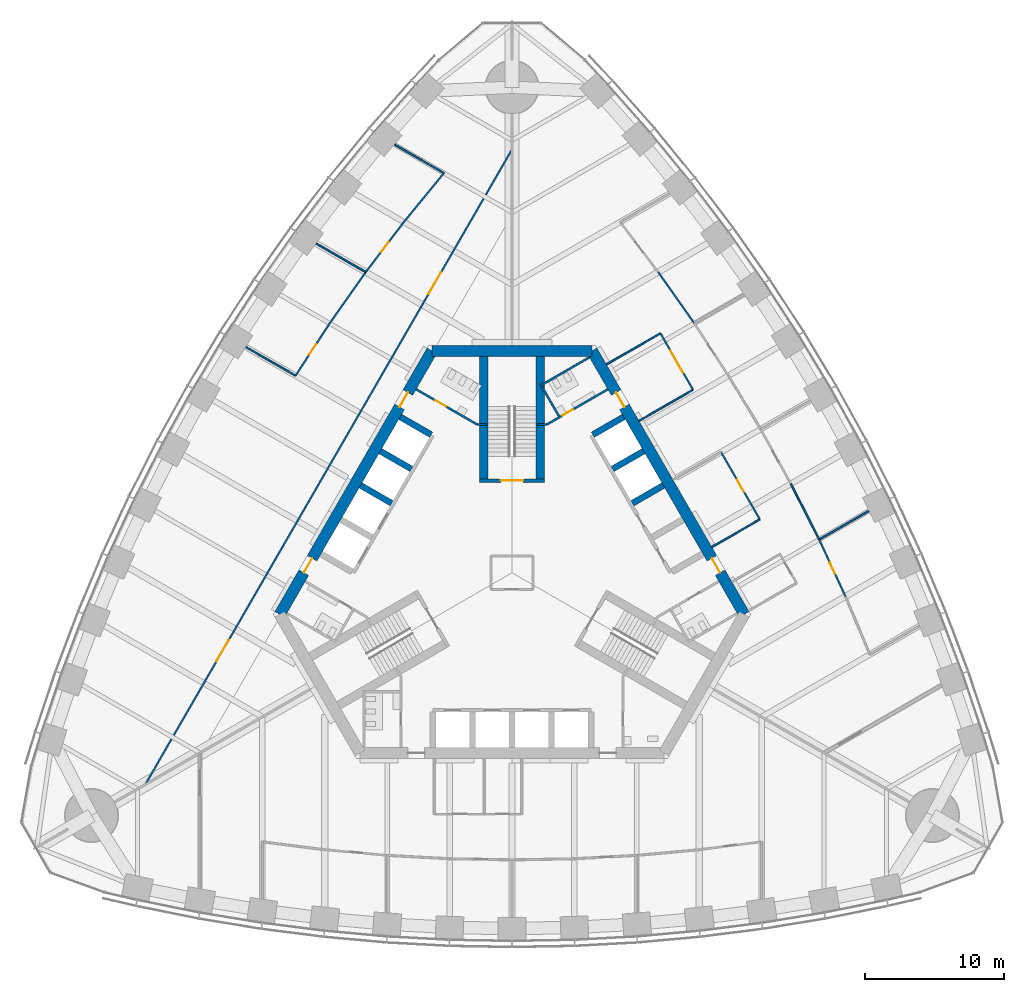
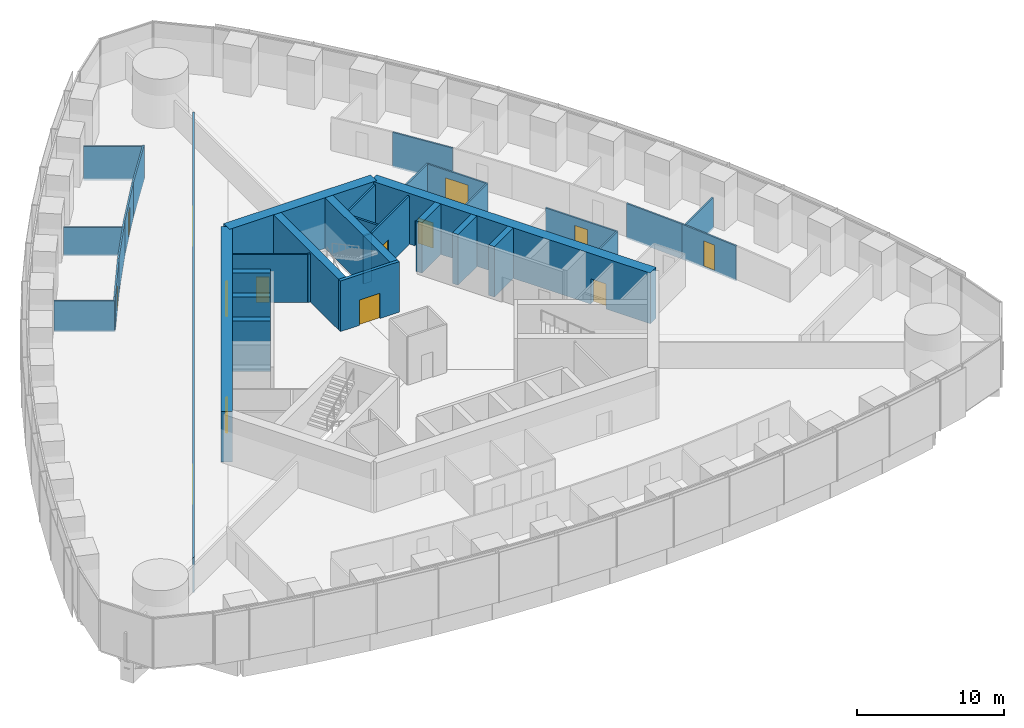
# One storey, part 12 of 18: 35 walls, 14 doors, 14 openings.
"""IFC4 building model written with IfcOpenShell, lengths in metres."""

from ifc_helpers import new_model, si_unit, direction, frame, frame_2d, origin, place, context, subcontext, project, spatial, rectangle, extrude, material, layer, layer_set, type_object, element, fill, save


model = new_model("IFC4")

# Units and contexts
model_context = context("Model", 3, precision=1e-05, world=origin(), true_north=direction((0.0, 1.0)))
body_context = subcontext(model_context, "Body", "Model", "MODEL_VIEW")
ifc_project = project(units=[si_unit("LENGTHUNIT", "METRE"), si_unit("AREAUNIT", "SQUARE_METRE"), si_unit("VOLUMEUNIT", "CUBIC_METRE"), si_unit("PLANEANGLEUNIT", "RADIAN"), si_unit("MASSUNIT", "GRAM", prefix="KILO")], contexts=[model_context])

# Site, building, storey
site_placement = place(None, origin())
site = spatial("IfcSite", under=ifc_project, at=site_placement, CompositionType="ELEMENT")
building_placement = place(site_placement, origin())
building = spatial("IfcBuilding", under=site, at=building_placement, Name="Trefoil Bronze Tower", CompositionType="ELEMENT")
storey_placement = place(building_placement, frame((0.0, 0.0, 170.300048828125)))
storey = spatial("IfcBuildingStorey", under=building, at=storey_placement, Name="L39", CompositionType="ELEMENT", Elevation=170.300048828125)

# Wall, openings, doors
ifc_material_1 = material(Name="Concrete B80", Category="concrete")
ifc_layer_1 = layer(ifc_material_1, 0.800048828125)
ifc_layer_set_1 = layer_set([ifc_layer_1], Name="Core wall 800")
wall_type_1 = type_object("IfcWallType", Name="Core wall 800", PredefinedType="SHEAR", material=ifc_layer_set_1)
wall_1_placement = place(storey_placement, frame((16.7431640625, -3.0, 0.0), z_axis=(0.0, 0.0, 1.0), x_axis=(-0.500002442456, 0.866023993627, 0.0)))
wall_1 = element("IfcWall", 1, at=wall_1_placement, inside=storey, type_object=wall_type_1, Name="Core long wall 2 L39", PredefinedType="SHEAR", context=body_context, shape_type="SweptSolid", body=[
    extrude(rectangle(XDim=21.939453125, YDim=0.800048828125, at=frame_2d((10.9697265625, 0.0))), origin(), (0.0, 0.0, 1.0), 4.199951171875),
])
opening_1_placement = place(wall_1_placement, frame((17.269775390625, 0.0, 0.0)))
opening_1 = element("IfcOpeningElement", 2, at=opening_1_placement, cuts=wall_1, Name="Opening D2", PredefinedType="OPENING", context=body_context, shape_type="SweptSolid", body=[
    extrude(rectangle(XDim=1.199951171875, YDim=2.10009765625, at=frame_2d((0.60009765625, 1.050048828125))), frame((0.0, 0.409912109375, 0.0), z_axis=(0.0, -1.0, 0.0), x_axis=(1.0, 0.0, 0.0)), (0.0, 0.0, 1.0), 0.820068359375),
])
opening_2_placement = place(wall_1_placement, frame((3.4697265625, 0.0, 0.0)))
opening_2 = element("IfcOpeningElement", 3, at=opening_2_placement, cuts=wall_1, Name="Opening D2", PredefinedType="OPENING", context=body_context, shape_type="SweptSolid", body=[
    extrude(rectangle(XDim=1.199951171875, YDim=2.10009765625, at=frame_2d((0.60009765625, 1.050048828125))), frame((0.0, 0.409912109375, 0.0), z_axis=(0.0, -1.0, 0.0), x_axis=(1.0, 0.0, 0.0)), (0.0, 0.0, 1.0), 0.820068359375),
])
ifc_material_2 = material(Name="Steel door", Category="steel")
door_type_1 = type_object("IfcDoorType", Name="Lobby door 1200", OperationType="SINGLE_SWING_RIGHT", PredefinedType="DOOR", material=ifc_material_2)
door_1_placement = place(opening_1_placement, origin())
door_1 = element("IfcDoor", 4, at=door_1_placement, inside=storey, type_object=door_type_1, Name="Lobby door F2+ L39", OperationType="SINGLE_SWING_RIGHT", OverallHeight=2.10009765625, OverallWidth=1.199951171875, PredefinedType="DOOR", context=body_context, shape_type="SweptSolid", body=[
    extrude(rectangle(XDim=1.199951171875, YDim=2.10009765625, at=frame_2d((0.60009765625, 1.050048828125))), frame((0.0, 0.02490234375, 0.0), z_axis=(0.0, -1.0, 0.0), x_axis=(1.0, 0.0, 0.0)), (0.0, 0.0, 1.0), 0.050048828125),
])
fill(opening_1, door_1)
door_2_placement = place(opening_2_placement, origin())
door_2 = element("IfcDoor", 5, at=door_2_placement, inside=storey, type_object=door_type_1, Name="Lobby door F2- L39", OperationType="SINGLE_SWING_LEFT", OverallHeight=2.10009765625, OverallWidth=1.199951171875, PredefinedType="DOOR", context=body_context, shape_type="SweptSolid", body=[
    extrude(rectangle(XDim=1.199951171875, YDim=2.10009765625, at=frame_2d((0.60009765625, 1.050048828125))), frame((0.0, 0.02490234375, 0.0), z_axis=(0.0, -1.0, 0.0), x_axis=(1.0, 0.0, 0.0)), (0.0, 0.0, 1.0), 0.050048828125),
])
fill(opening_2, door_2)

# Wall
wall_2_placement = place(storey_placement, frame((5.7734375, 16.0, 0.0), z_axis=(0.0, 0.0, 1.0), x_axis=(-1.0, 0.0, 0.0)))
element("IfcWall", 6, at=wall_2_placement, inside=storey, type_object=wall_type_1, Name="Core short wall 2 L39", PredefinedType="SHEAR", context=body_context, shape_type="SweptSolid", body=[
    extrude(rectangle(XDim=11.546875, YDim=0.800048828125, at=frame_2d((5.7734375, 0.0))), origin(), (0.0, 0.0, 1.0), 4.199951171875),
])

# Wall, openings, doors
wall_3_placement = place(storey_placement, frame((-5.7734375, 16.0, 0.0), z_axis=(0.0, 0.0, 1.0), x_axis=(-0.500002442456, -0.866023993627, 0.0)))
wall_3 = element("IfcWall", 7, at=wall_3_placement, inside=storey, type_object=wall_type_1, Name="Core long wall 3 L39", PredefinedType="SHEAR", context=body_context, shape_type="SweptSolid", body=[
    extrude(rectangle(XDim=21.939453125, YDim=0.800048828125, at=frame_2d((10.9697265625, 0.0))), origin(), (0.0, 0.0, 1.0), 4.199951171875),
])
opening_3_placement = place(wall_3_placement, frame((17.269775390625, 0.0, 0.0)))
opening_3 = element("IfcOpeningElement", 8, at=opening_3_placement, cuts=wall_3, Name="Opening D2", PredefinedType="OPENING", context=body_context, shape_type="SweptSolid", body=[
    extrude(rectangle(XDim=1.199951171875, YDim=2.10009765625, at=frame_2d((0.60009765625, 1.050048828125))), frame((0.0, 0.409912109375, 0.0), z_axis=(0.0, -1.0, 0.0), x_axis=(1.0, 0.0, 0.0)), (0.0, 0.0, 1.0), 0.820068359375),
])
opening_4_placement = place(wall_3_placement, frame((3.4697265625, 0.0, 0.0)))
opening_4 = element("IfcOpeningElement", 9, at=opening_4_placement, cuts=wall_3, Name="Opening D2", PredefinedType="OPENING", context=body_context, shape_type="SweptSolid", body=[
    extrude(rectangle(XDim=1.199951171875, YDim=2.10009765625, at=frame_2d((0.60009765625, 1.050048828125))), frame((0.0, 0.409912109375, 0.0), z_axis=(0.0, -1.0, 0.0), x_axis=(1.0, 0.0, 0.0)), (0.0, 0.0, 1.0), 0.820068359375),
])
door_3_placement = place(opening_3_placement, origin())
door_3 = element("IfcDoor", 10, at=door_3_placement, inside=storey, type_object=door_type_1, Name="Lobby door F3+ L39", OperationType="SINGLE_SWING_RIGHT", OverallHeight=2.10009765625, OverallWidth=1.199951171875, PredefinedType="DOOR", context=body_context, shape_type="SweptSolid", body=[
    extrude(rectangle(XDim=1.199951171875, YDim=2.10009765625, at=frame_2d((0.60009765625, 1.050048828125))), frame((0.0, 0.02490234375, 0.0), z_axis=(0.0, -1.0, 0.0), x_axis=(1.0, 0.0, 0.0)), (0.0, 0.0, 1.0), 0.050048828125),
])
fill(opening_3, door_3)
door_4_placement = place(opening_4_placement, origin())
door_4 = element("IfcDoor", 11, at=door_4_placement, inside=storey, type_object=door_type_1, Name="Lobby door F3- L39", OperationType="SINGLE_SWING_LEFT", OverallHeight=2.10009765625, OverallWidth=1.199951171875, PredefinedType="DOOR", context=body_context, shape_type="SweptSolid", body=[
    extrude(rectangle(XDim=1.199951171875, YDim=2.10009765625, at=frame_2d((0.60009765625, 1.050048828125))), frame((0.0, 0.02490234375, 0.0), z_axis=(0.0, -1.0, 0.0), x_axis=(1.0, 0.0, 0.0)), (0.0, 0.0, 1.0), 0.050048828125),
])
fill(opening_4, door_4)

# Wall, opening, door
ifc_material_3 = material(Name="Glazed partition", Category="glass")
ifc_layer_2 = layer(ifc_material_3, 0.1201171875)
ifc_layer_set_2 = layer_set([ifc_layer_2], Name="Glazed partition 120")
wall_type_2 = type_object("IfcWallType", Name="Glazed partition 120", PredefinedType="PARTITIONING", material=ifc_layer_set_2)
wall_4_placement = place(storey_placement, frame((13.0517578125, 13.193603515625, 0.0), z_axis=(0.0, 0.0, 1.0), x_axis=(-0.499977259774, 0.866038532462, 0.0)))
wall_4 = element("IfcWall", 12, at=wall_4_placement, inside=storey, type_object=wall_type_2, Name="Partition F2 L39", PredefinedType="PARTITIONING", context=body_context, shape_type="SweptSolid", body=[
    extrude(rectangle(XDim=4.699951171875, YDim=0.1201171875, at=frame_2d((2.35009765625, 0.0))), origin(), (0.0, 0.0, 1.0), 2.89990234375),
])
opening_5_placement = place(wall_4_placement, frame((1.449951171875, 0.0, 0.14990234375)))
opening_5 = element("IfcOpeningElement", 13, at=opening_5_placement, cuts=wall_4, Name="Opening D10", PredefinedType="OPENING", context=body_context, shape_type="SweptSolid", body=[
    extrude(rectangle(XDim=1.800048828125, YDim=2.10009765625, at=frame_2d((0.89990234375, 1.050048828125))), frame((0.0, 0.070068359375, 0.0), z_axis=(0.0, -1.0, 0.0), x_axis=(1.0, 0.0, 0.0)), (0.0, 0.0, 1.0), 0.14013671875),
])
ifc_material_4 = material(Name="Timber door", Category="wood")
door_type_2 = type_object("IfcDoorType", Name="Double door 1800", OperationType="DOUBLE_DOOR_SINGLE_SWING", PredefinedType="DOOR", material=ifc_material_4)
door_5_placement = place(opening_5_placement, frame((1.800048828125, 0.0, 0.0), z_axis=(0.0, 0.0, 1.0), x_axis=(-1.0, 0.0, 0.0)))
door_5 = element("IfcDoor", 14, at=door_5_placement, inside=storey, type_object=door_type_2, Name="Reception door F2 L39", OperationType="DOUBLE_DOOR_SINGLE_SWING", OverallHeight=2.10009765625, OverallWidth=1.800048828125, PredefinedType="DOOR", context=body_context, shape_type="SweptSolid", body=[
    extrude(rectangle(XDim=1.800048828125, YDim=2.10009765625, at=frame_2d((0.89990234375, 1.050048828125))), frame((0.0, 0.02490234375, 0.0), z_axis=(0.0, -1.0, 0.0), x_axis=(1.0, 0.0, 0.0)), (0.0, 0.0, 1.0), 0.050048828125),
])
fill(opening_5, door_5)

wall_5_placement = place(storey_placement, frame((17.868896484375, 3.850341796875, 0.0), z_axis=(0.0, 0.0, 1.0), x_axis=(-0.500016814911, 0.866015695474, 0.0)))
wall_5 = element("IfcWall", 15, at=wall_5_placement, inside=storey, type_object=wall_type_2, Name="Partition F2 L39", PredefinedType="PARTITIONING", context=body_context, shape_type="SweptSolid", body=[
    extrude(rectangle(XDim=5.599853515625, YDim=0.1201171875, at=frame_2d((2.7998046875, 0.0))), origin(), (0.0, 0.0, 1.0), 2.89990234375),
])
opening_6_placement = place(wall_5_placement, frame((2.300048828125, 0.0, 0.14990234375)))
opening_6 = element("IfcOpeningElement", 16, at=opening_6_placement, cuts=wall_5, Name="Opening D9", PredefinedType="OPENING", context=body_context, shape_type="SweptSolid", body=[
    extrude(rectangle(XDim=1.0, YDim=2.10009765625, at=frame_2d((0.5, 1.050048828125))), frame((0.0, 0.070068359375, 0.0), z_axis=(0.0, -1.0, 0.0), x_axis=(1.0, 0.0, 0.0)), (0.0, 0.0, 1.0), 0.14013671875),
])
ifc_material_5 = material(Name="Glazed timber door", Category="wood")
door_type_3 = type_object("IfcDoorType", Name="Meeting room door 1000", OperationType="SINGLE_SWING_LEFT", PredefinedType="DOOR", material=ifc_material_5)
door_6_placement = place(opening_6_placement, origin())
door_6 = element("IfcDoor", 17, at=door_6_placement, inside=storey, type_object=door_type_3, Name="Meeting room door F2 L39", OperationType="SINGLE_SWING_RIGHT", OverallHeight=2.10009765625, OverallWidth=1.0, PredefinedType="DOOR", context=body_context, shape_type="SweptSolid", body=[
    extrude(rectangle(XDim=1.0, YDim=2.10009765625, at=frame_2d((0.5, 1.050048828125))), frame((0.0, 0.02490234375, 0.0), z_axis=(0.0, -1.0, 0.0), x_axis=(1.0, 0.0, 0.0)), (0.0, 0.0, 1.0), 0.050048828125),
])
fill(opening_6, door_6)

# Walls
wall_6_placement = place(storey_placement, frame((9.15478515625, 10.943603515625, 0.0), z_axis=(0.0, 0.0, 1.0), x_axis=(0.866017533419, 0.500013631625, 0.0)))
element("IfcWall", 18, at=wall_6_placement, inside=storey, type_object=wall_type_2, Name="Partition F2 L39", PredefinedType="PARTITIONING", context=body_context, shape_type="SweptSolid", body=[
    extrude(rectangle(XDim=4.499755859375, YDim=0.1201171875, at=frame_2d((2.25, 0.0))), origin(), (0.0, 0.0, 1.0), 2.89990234375),
])
wall_7_placement = place(storey_placement, frame((6.8046875, 15.013916015625, 0.0), z_axis=(0.0, 0.0, 1.0), x_axis=(0.866031096941, 0.499990139034, 0.0)))
element("IfcWall", 19, at=wall_7_placement, inside=storey, type_object=wall_type_2, Name="Partition F2 L39", PredefinedType="PARTITIONING", context=body_context, shape_type="SweptSolid", body=[
    extrude(rectangle(XDim=4.5, YDim=0.1201171875, at=frame_2d((2.25, 0.0))), origin(), (0.0, 0.0, 1.0), 2.89990234375),
])
wall_8_placement = place(storey_placement, frame((14.40478515625, 1.850341796875, 0.0), z_axis=(0.0, 0.0, 1.0), x_axis=(0.866026010844, 0.49999894854, 0.0)))
element("IfcWall", 20, at=wall_8_placement, inside=storey, type_object=wall_type_2, Name="Partition F2 L39", PredefinedType="PARTITIONING", context=body_context, shape_type="SweptSolid", body=[
    extrude(rectangle(XDim=4.0, YDim=0.1201171875, at=frame_2d((2.0, 0.0))), origin(), (0.0, 0.0, 1.0), 2.89990234375),
])
wall_9_placement = place(storey_placement, frame((13.145263671875, 17.981689453125, 0.0), z_axis=(0.0, 0.0, 1.0), x_axis=(-0.575987178736, 0.817458726745, 0.0)))
element("IfcWall", 21, at=wall_9_placement, inside=storey, type_object=wall_type_2, Name="Partition F2 L39", PredefinedType="PARTITIONING", context=body_context, shape_type="SweptSolid", body=[
    extrude(rectangle(XDim=4.518310546875, YDim=0.1201171875, at=frame_2d((2.25927734375, 0.0))), origin(), (0.0, 0.0, 1.0), 2.89990234375),
])

# Wall, opening, door
wall_10_placement = place(storey_placement, frame((24.042724609375, -1.70751953125, 0.0), z_axis=(0.0, 0.0, 1.0), x_axis=(-0.41992827805, 0.90755729367, 0.0)))
wall_10 = element("IfcWall", 22, at=wall_10_placement, inside=storey, type_object=wall_type_2, Name="Partition F2 L39", PredefinedType="PARTITIONING", context=body_context, shape_type="SweptSolid", body=[
    extrude(rectangle(XDim=4.5185546875, YDim=0.1201171875, at=frame_2d((2.25927734375, 0.0))), origin(), (0.0, 0.0, 1.0), 2.89990234375),
])
opening_7_placement = place(wall_10_placement, frame((1.800048828125, 0.0, 0.14990234375)))
opening_7 = element("IfcOpeningElement", 23, at=opening_7_placement, cuts=wall_10, Name="Opening D8", PredefinedType="OPENING", context=body_context, shape_type="SweptSolid", body=[
    extrude(rectangle(XDim=0.89990234375, YDim=2.10009765625, at=frame_2d((0.449951171875, 1.050048828125))), frame((0.0, 0.070068359375, 0.0), z_axis=(0.0, -1.0, 0.0), x_axis=(1.0, 0.0, 0.0)), (0.0, 0.0, 1.0), 0.14013671875),
])
ifc_material_6 = material(Name="Timber door", Category="wood")
door_type_4 = type_object("IfcDoorType", Name="Office door 900", OperationType="SINGLE_SWING_LEFT", PredefinedType="DOOR", material=ifc_material_6)
door_7_placement = place(opening_7_placement, frame((0.89990234375, 0.0, 0.0), z_axis=(0.0, 0.0, 1.0), x_axis=(-1.0, 0.0, 0.0)))
door_7 = element("IfcDoor", 24, at=door_7_placement, inside=storey, type_object=door_type_4, Name="Executive office door F2 L39", OperationType="SINGLE_SWING_RIGHT", OverallHeight=2.10009765625, OverallWidth=0.89990234375, PredefinedType="DOOR", context=body_context, shape_type="SweptSolid", body=[
    extrude(rectangle(XDim=0.89990234375, YDim=2.10009765625, at=frame_2d((0.449951171875, 1.050048828125))), frame((0.0, 0.02490234375, 0.0), z_axis=(0.0, -1.0, 0.0), x_axis=(1.0, 0.0, 0.0)), (0.0, 0.0, 1.0), 0.050048828125),
])
fill(opening_7, door_7)

# Walls
wall_11_placement = place(storey_placement, frame((22.145263671875, 2.393310546875, 0.0), z_axis=(0.0, 0.0, 1.0), x_axis=(-0.452471679136, 0.891778772779, 0.0)))
element("IfcWall", 25, at=wall_11_placement, inside=storey, type_object=wall_type_2, Name="Partition F2 L39", PredefinedType="PARTITIONING", context=body_context, shape_type="SweptSolid", body=[
    extrude(rectangle(XDim=4.506591796875, YDim=0.1201171875, at=frame_2d((2.25341796875, 0.0))), origin(), (0.0, 0.0, 1.0), 2.89990234375),
])
wall_12_placement = place(storey_placement, frame((22.145263671875, 2.393310546875, 0.0), z_axis=(0.0, 0.0, 1.0), x_axis=(0.866018637367, 0.500011719595, 0.0)))
element("IfcWall", 26, at=wall_12_placement, inside=storey, type_object=wall_type_2, Name="Partition F2 L39", PredefinedType="PARTITIONING", context=body_context, shape_type="SweptSolid", body=[
    extrude(rectangle(XDim=4.11572265625, YDim=0.1201171875, at=frame_2d((2.057861328125, 0.0))), origin(), (0.0, 0.0, 1.0), 2.599853515625),
])

# Wall, openings, doors
wall_13_placement = place(storey_placement, frame((-0.016357421875, 30.491455078125, 0.0), z_axis=(0.0, 0.0, 1.0), x_axis=(-0.50000091641, -0.866024874695, 0.0)))
wall_13 = element("IfcWall", 27, at=wall_13_placement, inside=storey, type_object=wall_type_2, Name="Partition F3 L39", PredefinedType="PARTITIONING", context=body_context, shape_type="SweptSolid", body=[
    extrude(rectangle(XDim=52.79638671875, YDim=0.1201171875, at=frame_2d((26.398193359375, 0.0))), origin(), (0.0, 0.0, 1.0), 2.89990234375),
])
opening_8_placement = place(wall_13_placement, frame((10.199951171875, 0.0, 0.14990234375)))
opening_8 = element("IfcOpeningElement", 28, at=opening_8_placement, cuts=wall_13, Name="Opening D10", PredefinedType="OPENING", context=body_context, shape_type="SweptSolid", body=[
    extrude(rectangle(XDim=1.800048828125, YDim=2.10009765625, at=frame_2d((0.89990234375, 1.050048828125))), frame((0.0, 0.070068359375, 0.0), z_axis=(0.0, -1.0, 0.0), x_axis=(1.0, 0.0, 0.0)), (0.0, 0.0, 1.0), 0.14013671875),
])
opening_9_placement = place(wall_13_placement, frame((40.800048828125, 0.0, 0.14990234375)))
opening_9 = element("IfcOpeningElement", 29, at=opening_9_placement, cuts=wall_13, Name="Opening D10", PredefinedType="OPENING", context=body_context, shape_type="SweptSolid", body=[
    extrude(rectangle(XDim=1.800048828125, YDim=2.10009765625, at=frame_2d((0.89990234375, 1.050048828125))), frame((0.0, 0.070068359375, 0.0), z_axis=(0.0, -1.0, 0.0), x_axis=(1.0, 0.0, 0.0)), (0.0, 0.0, 1.0), 0.14013671875),
])
door_8_placement = place(opening_8_placement, frame((1.800048828125, 0.0, 0.0), z_axis=(0.0, 0.0, 1.0), x_axis=(-1.0, 0.0, 0.0)))
door_8 = element("IfcDoor", 30, at=door_8_placement, inside=storey, type_object=door_type_2, Name="Corridor door F3 L39", OperationType="DOUBLE_DOOR_SINGLE_SWING", OverallHeight=2.10009765625, OverallWidth=1.800048828125, PredefinedType="DOOR", context=body_context, shape_type="SweptSolid", body=[
    extrude(rectangle(XDim=1.800048828125, YDim=2.10009765625, at=frame_2d((0.89990234375, 1.050048828125))), frame((0.0, 0.02490234375, 0.0), z_axis=(0.0, -1.0, 0.0), x_axis=(1.0, 0.0, 0.0)), (0.0, 0.0, 1.0), 0.050048828125),
])
fill(opening_8, door_8)
door_9_placement = place(opening_9_placement, frame((1.800048828125, 0.0, 0.0), z_axis=(0.0, 0.0, 1.0), x_axis=(-1.0, 0.0, 0.0)))
door_9 = element("IfcDoor", 31, at=door_9_placement, inside=storey, type_object=door_type_2, Name="Corridor door F3 L39", OperationType="DOUBLE_DOOR_SINGLE_SWING", OverallHeight=2.10009765625, OverallWidth=1.800048828125, PredefinedType="DOOR", context=body_context, shape_type="SweptSolid", body=[
    extrude(rectangle(XDim=1.800048828125, YDim=2.10009765625, at=frame_2d((0.89990234375, 1.050048828125))), frame((0.0, 0.02490234375, 0.0), z_axis=(0.0, -1.0, 0.0), x_axis=(1.0, 0.0, 0.0)), (0.0, 0.0, 1.0), 0.050048828125),
])
fill(opening_9, door_9)

# Wall
wall_14_placement = place(storey_placement, frame((-10.542724609375, 21.67529296875, 0.0), z_axis=(0.0, 0.0, 1.0), x_axis=(-0.575987178736, -0.817458726745, 0.0)))
element("IfcWall", 32, at=wall_14_placement, inside=storey, type_object=wall_type_2, Name="Partition F3 L39", PredefinedType="PARTITIONING", context=body_context, shape_type="SweptSolid", body=[
    extrude(rectangle(XDim=4.518310546875, YDim=0.1201171875, at=frame_2d((2.25927734375, 0.0))), origin(), (0.0, 0.0, 1.0), 2.89990234375),
])

# Wall, opening, door
wall_15_placement = place(storey_placement, frame((-7.797119140625, 25.2861328125, 0.0), z_axis=(0.0, 0.0, 1.0), x_axis=(-0.605274299339, -0.796016973789, 0.0)))
wall_15 = element("IfcWall", 33, at=wall_15_placement, inside=storey, type_object=wall_type_2, Name="Partition F3 L39", PredefinedType="PARTITIONING", context=body_context, shape_type="SweptSolid", body=[
    extrude(rectangle(XDim=4.5361328125, YDim=0.1201171875, at=frame_2d((2.26806640625, 0.0))), origin(), (0.0, 0.0, 1.0), 2.89990234375),
])
opening_10_placement = place(wall_15_placement, frame((1.800048828125, 0.0, 0.14990234375)))
opening_10 = element("IfcOpeningElement", 34, at=opening_10_placement, cuts=wall_15, Name="Opening D8", PredefinedType="OPENING", context=body_context, shape_type="SweptSolid", body=[
    extrude(rectangle(XDim=0.89990234375, YDim=2.10009765625, at=frame_2d((0.449951171875, 1.050048828125))), frame((0.0, 0.070068359375, 0.0), z_axis=(0.0, -1.0, 0.0), x_axis=(1.0, 0.0, 0.0)), (0.0, 0.0, 1.0), 0.14013671875),
])
door_10_placement = place(opening_10_placement, frame((0.89990234375, 0.0, 0.0), z_axis=(0.0, 0.0, 1.0), x_axis=(-1.0, 0.0, 0.0)))
door_10 = element("IfcDoor", 35, at=door_10_placement, inside=storey, type_object=door_type_4, Name="Executive office door F3 L39", OperationType="SINGLE_SWING_RIGHT", OverallHeight=2.10009765625, OverallWidth=0.89990234375, PredefinedType="DOOR", context=body_context, shape_type="SweptSolid", body=[
    extrude(rectangle(XDim=0.89990234375, YDim=2.10009765625, at=frame_2d((0.449951171875, 1.050048828125))), frame((0.0, 0.02490234375, 0.0), z_axis=(0.0, -1.0, 0.0), x_axis=(1.0, 0.0, 0.0)), (0.0, 0.0, 1.0), 0.050048828125),
])
fill(opening_10, door_10)

# Wall
wall_16_placement = place(storey_placement, frame((-4.906494140625, 28.8134765625, 0.0), z_axis=(0.0, 0.0, 1.0), x_axis=(-0.633843962561, -0.773460943503, 0.0)))
element("IfcWall", 36, at=wall_16_placement, inside=storey, type_object=wall_type_2, Name="Partition F3 L39", PredefinedType="PARTITIONING", context=body_context, shape_type="SweptSolid", body=[
    extrude(rectangle(XDim=4.560546875, YDim=0.1201171875, at=frame_2d((2.2802734375, 0.0))), origin(), (0.0, 0.0, 1.0), 2.89990234375),
])

# Wall, opening, door
wall_17_placement = place(storey_placement, frame((-13.145263671875, 17.981689453125, 0.0), z_axis=(0.0, 0.0, 1.0), x_axis=(-0.546069464151, -0.837739900161, 0.0)))
wall_17 = element("IfcWall", 37, at=wall_17_placement, inside=storey, type_object=wall_type_2, Name="Partition F3 L39", PredefinedType="PARTITIONING", context=body_context, shape_type="SweptSolid", body=[
    extrude(rectangle(XDim=4.506591796875, YDim=0.1201171875, at=frame_2d((2.25341796875, 0.0))), origin(), (0.0, 0.0, 1.0), 2.89990234375),
])
opening_11_placement = place(wall_17_placement, frame((1.800048828125, 0.0, 0.14990234375)))
opening_11 = element("IfcOpeningElement", 38, at=opening_11_placement, cuts=wall_17, Name="Opening D8", PredefinedType="OPENING", context=body_context, shape_type="SweptSolid", body=[
    extrude(rectangle(XDim=0.89990234375, YDim=2.10009765625, at=frame_2d((0.449951171875, 1.050048828125))), frame((0.0, 0.070068359375, 0.0), z_axis=(0.0, -1.0, 0.0), x_axis=(1.0, 0.0, 0.0)), (0.0, 0.0, 1.0), 0.14013671875),
])
door_11_placement = place(opening_11_placement, frame((0.89990234375, 0.0, 0.0), z_axis=(0.0, 0.0, 1.0), x_axis=(-1.0, 0.0, 0.0)))
door_11 = element("IfcDoor", 39, at=door_11_placement, inside=storey, type_object=door_type_4, Name="Executive office door F3 L39", OperationType="SINGLE_SWING_RIGHT", OverallHeight=2.10009765625, OverallWidth=0.89990234375, PredefinedType="DOOR", context=body_context, shape_type="SweptSolid", body=[
    extrude(rectangle(XDim=0.89990234375, YDim=2.10009765625, at=frame_2d((0.449951171875, 1.050048828125))), frame((0.0, 0.02490234375, 0.0), z_axis=(0.0, -1.0, 0.0), x_axis=(1.0, 0.0, 0.0)), (0.0, 0.0, 1.0), 0.050048828125),
])
fill(opening_11, door_11)

# Walls
wall_18_placement = place(storey_placement, frame((-10.542724609375, 21.67529296875, 0.0), z_axis=(0.0, 0.0, 1.0), x_axis=(-0.866019409031, 0.500010383074, 0.0)))
element("IfcWall", 40, at=wall_18_placement, inside=storey, type_object=wall_type_2, Name="Partition F3 L39", PredefinedType="PARTITIONING", context=body_context, shape_type="SweptSolid", body=[
    extrude(rectangle(XDim=4.1103515625, YDim=0.1201171875, at=frame_2d((2.05517578125, 0.0))), origin(), (0.0, 0.0, 1.0), 2.39990234375),
])
wall_19_placement = place(storey_placement, frame((-4.906494140625, 28.8134765625, 0.0), z_axis=(0.0, 0.0, 1.0), x_axis=(-0.86601374377, 0.500020195194, 0.0)))
element("IfcWall", 41, at=wall_19_placement, inside=storey, type_object=wall_type_2, Name="Partition F3 L39", PredefinedType="PARTITIONING", context=body_context, shape_type="SweptSolid", body=[
    extrude(rectangle(XDim=4.093017578125, YDim=0.1201171875, at=frame_2d((2.04638671875, 0.0))), origin(), (0.0, 0.0, 1.0), 2.800048828125),
])
wall_20_placement = place(storey_placement, frame((-15.606201171875, 14.206298828125, 0.0), z_axis=(0.0, 0.0, 1.0), x_axis=(-0.866016800201, 0.500014901547, 0.0)))
element("IfcWall", 42, at=wall_20_placement, inside=storey, type_object=wall_type_2, Name="Partition F3 L39", PredefinedType="PARTITIONING", context=body_context, shape_type="SweptSolid", body=[
    extrude(rectangle(XDim=4.118896484375, YDim=0.1201171875, at=frame_2d((2.0595703125, 0.0))), origin(), (0.0, 0.0, 1.0), 2.599853515625),
])
ifc_material_7 = material(Name="Concrete B80", Category="concrete")
ifc_layer_3 = layer(ifc_material_7, 0.449951171875)
ifc_layer_set_3 = layer_set([ifc_layer_3], Name="Outrigger shaft wall 450")
wall_type_3 = type_object("IfcWallType", Name="Outrigger shaft wall 450", PredefinedType="SHEAR", material=ifc_layer_set_3)
for number, where, z_axis, x_axis, name in (
    (43, (8.681884765625, 5.012451171875, 0.0), (0.0, 0.0, 1.0), (0.866005588531, 0.500034319456, 0.0), "Lift shaft side wall B2 L39"),
    (44, (7.2568359375, 7.480712890625, 0.0), (0.0, 0.0, 1.0), (0.866046643894, 0.499963209246, 0.0), "Lift shaft side wall B3 L39"),
):
    element("IfcWall", number, at=place(storey_placement, frame(where, z_axis=z_axis, x_axis=x_axis)), inside=storey, type_object=wall_type_3, Name=name, PredefinedType="SHEAR", context=body_context, shape_type="SweptSolid", body=[
        extrude(rectangle(XDim=2.574951171875, YDim=0.449951171875, at=frame_2d((1.28759765625, 0.0))), origin(), (0.0, 0.0, 1.0), 4.199951171875),
    ])
for number, where, z_axis, x_axis, name in (
    (45, (5.831787109375, 9.94873046875, 0.0), (0.0, 0.0, 1.0), (0.866029291668, 0.499993265928, 0.0), "Lift shaft side wall B4 L39"),
    (46, (-5.831787109375, 9.94873046875, 0.0), (0.0, 0.0, 1.0), (-0.866029291668, 0.499993265928, 0.0), "Lift shaft side wall C0 L39"),
):
    element("IfcWall", number, at=place(storey_placement, frame(where, z_axis=z_axis, x_axis=x_axis)), inside=storey, type_object=wall_type_3, Name=name, PredefinedType="SHEAR", context=body_context, shape_type="SweptSolid", body=[
        extrude(rectangle(XDim=2.5751953125, YDim=0.449951171875, at=frame_2d((1.28759765625, 0.0))), origin(), (0.0, 0.0, 1.0), 4.199951171875),
    ])
for number, where, z_axis, x_axis, name in (
    (47, (-7.2568359375, 7.480712890625, 0.0), (0.0, 0.0, 1.0), (-0.866046643894, 0.499963209246, 0.0), "Lift shaft side wall C1 L39"),
    (48, (-8.681884765625, 5.012451171875, 0.0), (0.0, 0.0, 1.0), (-0.866005588531, 0.500034319456, 0.0), "Lift shaft side wall C2 L39"),
):
    element("IfcWall", number, at=place(storey_placement, frame(where, z_axis=z_axis, x_axis=x_axis)), inside=storey, type_object=wall_type_3, Name=name, PredefinedType="SHEAR", context=body_context, shape_type="SweptSolid", body=[
        extrude(rectangle(XDim=2.574951171875, YDim=0.449951171875, at=frame_2d((1.28759765625, 0.0))), origin(), (0.0, 0.0, 1.0), 4.199951171875),
    ])

# Wall, opening, door
ifc_material_8 = material(Name="Gypsum board on steel studs", Category="steel")
ifc_layer_4 = layer(ifc_material_8, 0.14990234375)
ifc_layer_set_4 = layer_set([ifc_layer_4], Name="Partition 150")
wall_type_4 = type_object("IfcWallType", Name="Partition 150", PredefinedType="PARTITIONING", material=ifc_layer_set_4)
wall_21_placement = place(storey_placement, frame((2.4951171875, 10.67822265625, 0.0), z_axis=(0.0, 0.0, 1.0), x_axis=(0.86602216432, 0.500005610874, 0.0)))
wall_21 = element("IfcWall", 49, at=wall_21_placement, inside=storey, type_object=wall_type_4, Name="Passage wall F2+ L39", PredefinedType="PARTITIONING", context=body_context, shape_type="SweptSolid", body=[
    extrude(rectangle(XDim=5.10009765625, YDim=0.14990234375, at=frame_2d((2.550048828125, 0.0))), origin(), (0.0, 0.0, 1.0), 4.0),
])
opening_12_placement = place(wall_21_placement, frame((1.300048828125, 0.0, 0.0)))
opening_12 = element("IfcOpeningElement", 50, at=opening_12_placement, cuts=wall_21, Name="Opening D3", PredefinedType="OPENING", context=body_context, shape_type="SweptSolid", body=[
    extrude(rectangle(XDim=0.89990234375, YDim=2.10009765625, at=frame_2d((0.449951171875, 1.050048828125))), frame((0.0, 0.0849609375, 0.0), z_axis=(0.0, -1.0, 0.0), x_axis=(1.0, 0.0, 0.0)), (0.0, 0.0, 1.0), 0.169921875),
])
ifc_material_9 = material(Name="Timber door", Category="wood")
door_type_5 = type_object("IfcDoorType", Name="WC door 900", OperationType="SINGLE_SWING_LEFT", PredefinedType="DOOR", material=ifc_material_9)
door_12_placement = place(opening_12_placement, origin())
door_12 = element("IfcDoor", 51, at=door_12_placement, inside=storey, type_object=door_type_5, Name="WC (men) door L39", OperationType="SINGLE_SWING_LEFT", OverallHeight=2.10009765625, OverallWidth=0.89990234375, PredefinedType="DOOR", context=body_context, shape_type="SweptSolid", body=[
    extrude(rectangle(XDim=0.89990234375, YDim=2.10009765625, at=frame_2d((0.449951171875, 1.050048828125))), frame((0.0, 0.02490234375, 0.0), z_axis=(0.0, -1.0, 0.0), x_axis=(1.0, 0.0, 0.0)), (0.0, 0.0, 1.0), 0.050048828125),
])
fill(opening_12, door_12)

wall_22_placement = place(storey_placement, frame((-2.4951171875, 10.67822265625, 0.0), z_axis=(0.0, 0.0, 1.0), x_axis=(-0.86602216432, 0.500005610874, 0.0)))
wall_22 = element("IfcWall", 52, at=wall_22_placement, inside=storey, type_object=wall_type_4, Name="Passage wall F3- L39", PredefinedType="PARTITIONING", context=body_context, shape_type="SweptSolid", body=[
    extrude(rectangle(XDim=5.10009765625, YDim=0.14990234375, at=frame_2d((2.550048828125, 0.0))), origin(), (0.0, 0.0, 1.0), 4.0),
])
opening_13_placement = place(wall_22_placement, frame((2.60009765625, 0.0, 0.0)))
opening_13 = element("IfcOpeningElement", 53, at=opening_13_placement, cuts=wall_22, Name="Opening D3", PredefinedType="OPENING", context=body_context, shape_type="SweptSolid", body=[
    extrude(rectangle(XDim=0.89990234375, YDim=2.10009765625, at=frame_2d((0.449951171875, 1.050048828125))), frame((0.0, 0.0849609375, 0.0), z_axis=(0.0, -1.0, 0.0), x_axis=(1.0, 0.0, 0.0)), (0.0, 0.0, 1.0), 0.169921875),
])
door_13_placement = place(opening_13_placement, frame((0.89990234375, 0.0, 0.0), z_axis=(0.0, 0.0, 1.0), x_axis=(-1.0, 0.0, 0.0)))
door_13 = element("IfcDoor", 54, at=door_13_placement, inside=storey, type_object=door_type_5, Name="WC (women) door L39", OperationType="SINGLE_SWING_LEFT", OverallHeight=2.10009765625, OverallWidth=0.89990234375, PredefinedType="DOOR", context=body_context, shape_type="SweptSolid", body=[
    extrude(rectangle(XDim=0.89990234375, YDim=2.10009765625, at=frame_2d((0.449951171875, 1.050048828125))), frame((0.0, 0.02490234375, 0.0), z_axis=(0.0, -1.0, 0.0), x_axis=(1.0, 0.0, 0.0)), (0.0, 0.0, 1.0), 0.050048828125),
])
fill(opening_13, door_13)

# Walls
for number, where, z_axis, x_axis, name in (
    (55, (2.4951171875, 10.67822265625, 0.0), (0.0, 0.0, 1.0), (-1.0, 0.0, 0.0), "WC wall ST2-1 L39"),
    (56, (-2.4951171875, 10.67822265625, 0.0), (0.0, 0.0, 1.0), (1.0, 0.0, 0.0), "WC wall ST2+1 L39"),
):
    element("IfcWall", number, at=place(storey_placement, frame(where, z_axis=z_axis, x_axis=x_axis)), inside=storey, type_object=wall_type_4, Name=name, PredefinedType="PARTITIONING", context=body_context, shape_type="SweptSolid", body=[
        extrude(rectangle(XDim=0.64501953125, YDim=0.14990234375, at=frame_2d((0.322509765625, 0.0))), origin(), (0.0, 0.0, 1.0), 4.0),
    ])
wall_23_placement = place(storey_placement, frame((2.03125, 13.48193359375, 0.0), z_axis=(0.0, 0.0, 1.0), x_axis=(0.866050731258, 0.499956128963, 0.0)))
element("IfcWall", 57, at=wall_23_placement, inside=storey, type_object=wall_type_4, Name="WC partition WC (men) L39", PredefinedType="PARTITIONING", context=body_context, shape_type="SweptSolid", body=[
    extrude(rectangle(XDim=4.099853515625, YDim=0.14990234375, at=frame_2d((2.0498046875, 0.0))), origin(), (0.0, 0.0, 1.0), 4.0),
])
wall_24_placement = place(storey_placement, frame((3.388671875, 11.28076171875, 0.0), z_axis=(0.0, 0.0, 1.0), x_axis=(-0.499989096993, 0.866031698547, 0.0)))
element("IfcWall", 58, at=wall_24_placement, inside=storey, type_object=wall_type_4, Name="WC partition WC (men) L39", PredefinedType="PARTITIONING", context=body_context, shape_type="SweptSolid", body=[
    extrude(rectangle(XDim=2.509765625, YDim=0.14990234375, at=frame_2d((1.2548828125, 0.0))), origin(), (0.0, 0.0, 1.0), 4.0),
])

# Wall, opening, door
ifc_material_10 = material(Name="Concrete B80", Category="concrete")
ifc_layer_5 = layer(ifc_material_10, 0.25)
ifc_layer_set_5 = layer_set([ifc_layer_5], Name="Shaft wall 250")
wall_type_5 = type_object("IfcWallType", Name="Shaft wall 250", PredefinedType="SHEAR", material=ifc_layer_set_5)
wall_25_placement = place(storey_placement, frame((2.324951171875, 6.64990234375, 0.0), z_axis=(0.0, 0.0, 1.0), x_axis=(-1.0, 0.0, 0.0)))
wall_25 = element("IfcWall", 59, at=wall_25_placement, inside=storey, type_object=wall_type_5, Name="Stair end wall ST2 L39", PredefinedType="SHEAR", context=body_context, shape_type="SweptSolid", body=[
    extrude(rectangle(XDim=4.64990234375, YDim=0.25, at=frame_2d((2.324951171875, 0.0))), origin(), (0.0, 0.0, 1.0), 4.199951171875),
])
opening_14_placement = place(wall_25_placement, frame((1.52490234375, 0.0, 0.0)))
opening_14 = element("IfcOpeningElement", 60, at=opening_14_placement, cuts=wall_25, Name="Opening D1", PredefinedType="OPENING", context=body_context, shape_type="SweptSolid", body=[
    extrude(rectangle(XDim=1.60009765625, YDim=2.10009765625, at=frame_2d((0.800048828125, 1.050048828125))), frame((0.0, 0.135009765625, 0.0), z_axis=(0.0, -1.0, 0.0), x_axis=(1.0, 0.0, 0.0)), (0.0, 0.0, 1.0), 0.27001953125),
])
ifc_material_11 = material(Name="Steel door", Category="steel")
door_type_6 = type_object("IfcDoorType", Name="Stair door 1600", OperationType="DOUBLE_DOOR_SINGLE_SWING", PredefinedType="DOOR", material=ifc_material_11)
door_14_placement = place(opening_14_placement, frame((1.60009765625, 0.0, 0.0), z_axis=(0.0, 0.0, 1.0), x_axis=(-1.0, 0.0, 0.0)))
door_14 = element("IfcDoor", 61, at=door_14_placement, inside=storey, type_object=door_type_6, Name="Stair door ST2 L39", OperationType="DOUBLE_DOOR_SINGLE_SWING", OverallHeight=2.10009765625, OverallWidth=1.60009765625, PredefinedType="DOOR", context=body_context, shape_type="SweptSolid", body=[
    extrude(rectangle(XDim=1.60009765625, YDim=2.10009765625, at=frame_2d((0.800048828125, 1.050048828125))), frame((0.0, 0.02490234375, 0.0), z_axis=(0.0, -1.0, 0.0), x_axis=(1.0, 0.0, 0.0)), (0.0, 0.0, 1.0), 0.050048828125),
])
fill(opening_14, door_14)

# Walls
ifc_material_12 = material(Name="Concrete B80", Category="concrete")
ifc_layer_6 = layer(ifc_material_12, 0.60009765625)
ifc_layer_set_6 = layer_set([ifc_layer_6], Name="Stair wall 600")
wall_type_6 = type_object("IfcWallType", Name="Stair wall 600", PredefinedType="SHEAR", material=ifc_layer_set_6)
for number, where, z_axis, x_axis, name in (
    (62, (2.02490234375, 6.52490234375, 0.0), (0.0, 0.0, 1.0), (0.0, 1.0, 0.0), "Stair wall ST2 L39"),
    (63, (-2.02490234375, 6.52490234375, 0.0), (0.0, 0.0, 1.0), (0.0, 1.0, 0.0), "Stair wall ST2 L39"),
):
    element("IfcWall", number, at=place(storey_placement, frame(where, z_axis=z_axis, x_axis=x_axis)), inside=storey, type_object=wall_type_6, Name=name, PredefinedType="SHEAR", context=body_context, shape_type="SweptSolid", body=[
        extrude(rectangle(XDim=9.0751953125, YDim=0.60009765625, at=frame_2d((4.53759765625, 0.0))), origin(), (0.0, 0.0, 1.0), 4.199951171875),
    ])

save(model, "model.ifc")
